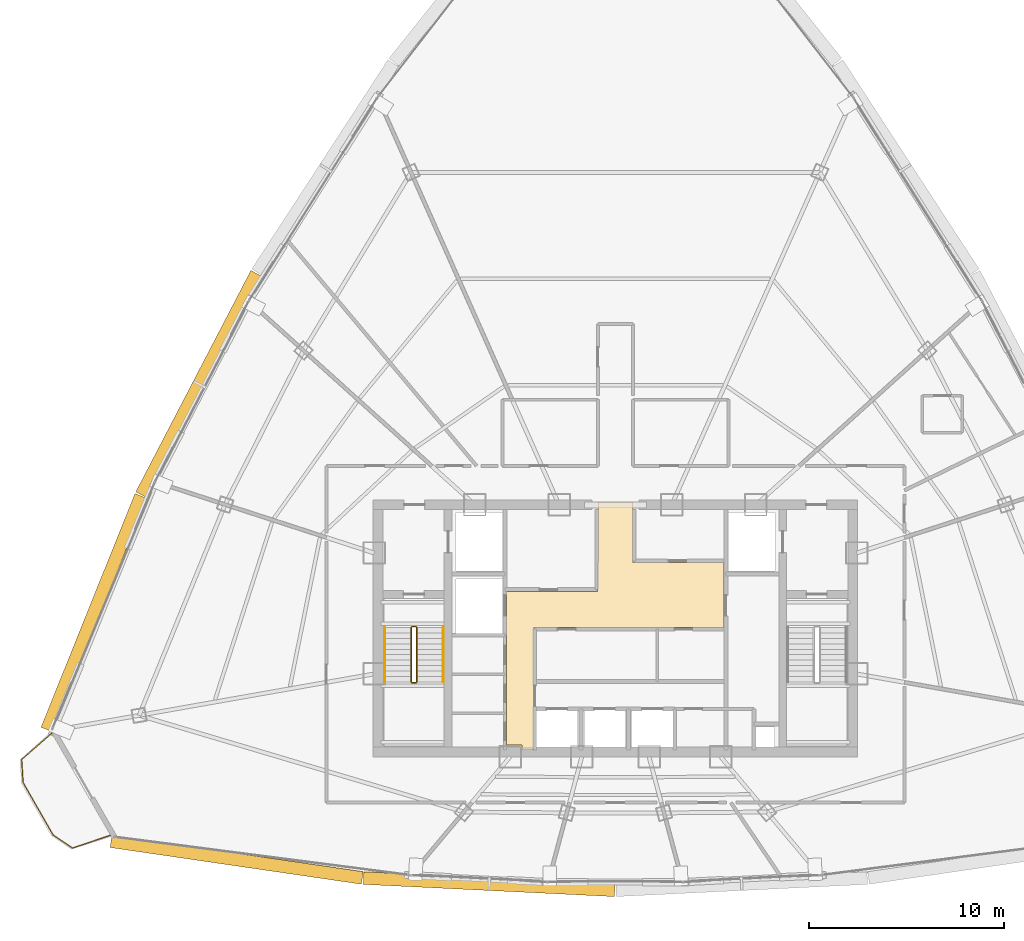
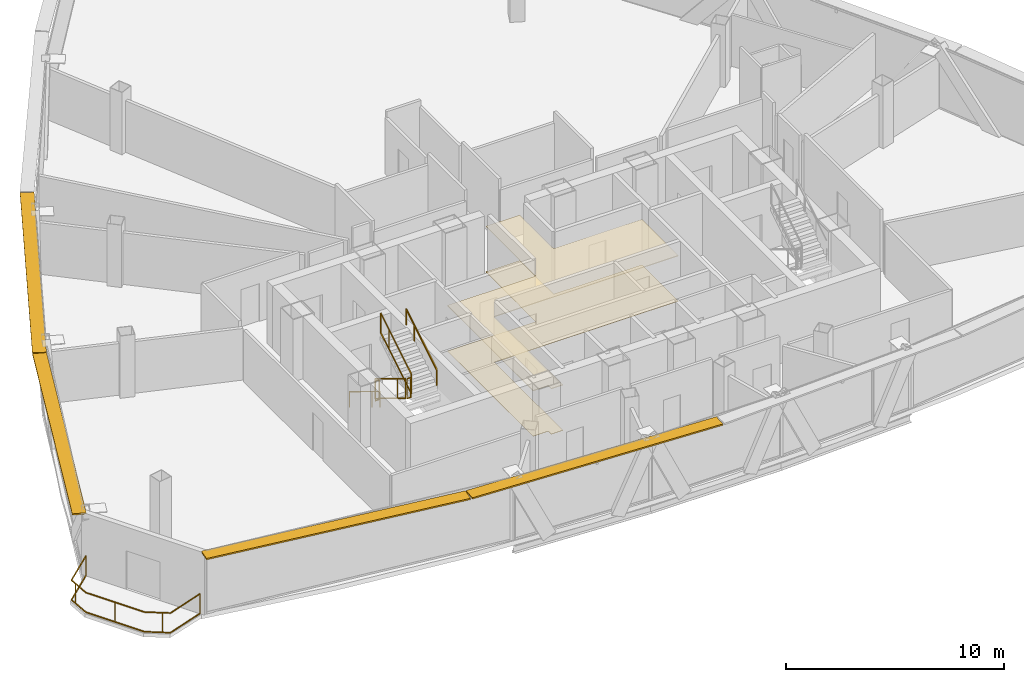
# One storey, part 32 of 34: 7 railings, 4 shading devices, 2 coverings.
"""IFC4 building model written with IfcOpenShell, lengths in metres."""

from ifc_helpers import new_model, si_unit, direction, frame, origin, origin_2d, place, context, subcontext, project, spatial, polyline, rectangle, outline, extrude, source, transform, mapped, material, layer, layer_set, type_object, element, save


model = new_model("IFC4")

# Units and contexts
model_context = context("Model", 3, precision=1e-05, world=origin(), true_north=direction((0.0, 1.0)))
body_context = subcontext(model_context, "Body", "Model", "MODEL_VIEW")
ifc_project = project(units=[si_unit("LENGTHUNIT", "METRE"), si_unit("AREAUNIT", "SQUARE_METRE"), si_unit("VOLUMEUNIT", "CUBIC_METRE"), si_unit("PLANEANGLEUNIT", "RADIAN"), si_unit("MASSUNIT", "GRAM", prefix="KILO"), si_unit("THERMODYNAMICTEMPERATUREUNIT", "KELVIN"), si_unit("POWERUNIT", "WATT")], contexts=[model_context])

# Site, building, storey
site_placement = place(None, origin())
site = spatial("IfcSite", under=ifc_project, at=site_placement, CompositionType="ELEMENT")
building_placement = place(site_placement, origin())
building = spatial("IfcBuilding", under=site, at=building_placement, Name="Yunzhuo Pagoda Commons", CompositionType="ELEMENT")
storey_placement = place(building_placement, frame((0.0, 0.0, 333.010009765625)))
storey = spatial("IfcBuildingStorey", under=building, at=storey_placement, Name="L83", CompositionType="ELEMENT", Elevation=333.010009765625)

# Coverings
ifc_material_1 = material(Name="Micro-perforated metal baffle ceiling")
ifc_layer_1 = layer(ifc_material_1, 0.034912109375)
ifc_layer_set_1 = layer_set([ifc_layer_1], Name="Micro-perforated metal baffle ceiling")
covering_type_1 = type_object("IfcCoveringType", Name="COV-CL3 Ceiling 35", PredefinedType="CEILING", material=ifc_layer_set_1)
covering_1_placement = place(storey_placement, frame((0.0, 0.0, 2.5400390625)))
element("IfcCovering", 1, at=covering_1_placement, inside=storey, type_object=covering_type_1, Name="L83 lift lobby acoustic ceiling", PredefinedType="CEILING", context=body_context, shape_type="SweptSolid", body=[
    extrude(outline(polyline([(42.39990234375, 35.75), (47.080078125, 35.75), (47.080078125, 37.25), (47.10009765625, 37.25), (47.10009765625, 40.35009765625), (48.89990234375, 40.35009765625), (48.89990234375, 37.25), (53.580078125, 37.25), (53.580078125, 33.89990234375), (43.820068359375, 33.89990234375), (43.820068359375, 27.60009765625), (43.207763671875, 27.60009765625), (43.207763671875, 27.85009765625), (43.201904296875, 27.864013671875), (43.187744140625, 27.8701171875), (42.39990234375, 27.8701171875), (42.39990234375, 33.89990234375), (42.39990234375, 35.75)])), origin(), (0.0, 0.0, 1.0), 0.034912109375),
])
ifc_material_2 = material(Name="Resilient acoustic studio flooring")
ifc_layer_2 = layer(ifc_material_2, 0.01806640625)
ifc_layer_set_2 = layer_set([ifc_layer_2], Name="Resilient acoustic studio flooring")
covering_type_2 = type_object("IfcCoveringType", Name="COV-FL3 Flooring 18", PredefinedType="FLOORING", material=ifc_layer_set_2)
covering_2_placement = place(storey_placement, origin())
element("IfcCovering", 2, at=covering_2_placement, inside=storey, type_object=covering_type_2, Name="L83 lift lobby flooring", PredefinedType="FLOORING", context=body_context, shape_type="SweptSolid", body=[
    extrude(outline(polyline([(42.39990234375, 35.75), (47.080078125, 35.75), (47.080078125, 37.25), (47.10009765625, 37.25), (47.10009765625, 40.35009765625), (48.89990234375, 40.35009765625), (48.89990234375, 37.25), (53.580078125, 37.25), (53.580078125, 33.89990234375), (43.820068359375, 33.89990234375), (43.820068359375, 27.60009765625), (43.207763671875, 27.60009765625), (43.207763671875, 27.85009765625), (43.201904296875, 27.864013671875), (43.187744140625, 27.8701171875), (42.39990234375, 27.8701171875), (42.39990234375, 33.89990234375), (42.39990234375, 35.75)])), origin(), (0.0, 0.0, 1.0), 0.01806640625),
])

# Railings
ifc_material_3 = material(Name="Anodized aluminium 6063-T6", Category="aluminium")
railing_type_1 = type_object("IfcRailingType", Name="GR-ST1 Stair Well Guardrail 1150", PredefinedType="GUARDRAIL", material=ifc_material_3)
railing_1_placement = place(storey_placement, frame((37.5, 33.89990234375, 0.17041015625)))
element("IfcRailing", 3, at=railing_1_placement, inside=storey, type_object=railing_type_1, Name="L83 ST1 stair guard 1", PredefinedType="GUARDRAIL", context=body_context, shape_type="SweptSolid", body=[
    extrude(rectangle(XDim=0.048095703125, YDim=0.048095703125, at=origin_2d()), frame((0.0, 0.0, 1.1259765625), z_axis=(0.0, -0.854149651119, 0.520027281489), x_axis=(1.0, 0.0, 0.0)), (0.0, 0.0, 1.0), 3.27783203125),
    extrude(rectangle(XDim=0.048095703125, YDim=0.048095703125, at=origin_2d()), frame((0.0, 0.0, 0.02392578125), z_axis=(0.0, -0.854149651119, 0.520027281489), x_axis=(1.0, 0.0, 0.0)), (0.0, 0.0, 1.0), 3.27783203125),
    extrude(rectangle(XDim=0.0419921875, YDim=0.0419921875, at=origin_2d()), origin(), (0.0, 0.0, 1.0), 1.101806640625),
    extrude(rectangle(XDim=0.0419921875, YDim=0.0419921875, at=origin_2d()), frame((0.0, -2.050048828125, 1.248046875)), (0.0, 0.0, 1.0), 1.101806640625),
    extrude(rectangle(XDim=0.0419921875, YDim=0.0419921875, at=origin_2d()), frame((0.0, -2.7998046875, 1.70458984375)), (0.0, 0.0, 1.0), 1.101806640625),
])
railing_2_placement = place(storey_placement, frame((37.550048828125, 31.050048828125, 1.875)))
element("IfcRailing", 4, at=railing_2_placement, inside=storey, type_object=railing_type_1, Name="L83 ST1 stair guard 2", PredefinedType="GUARDRAIL", context=body_context, shape_type="SweptSolid", body=[
    extrude(rectangle(XDim=0.048095703125, YDim=0.048095703125, at=origin_2d()), frame((0.0, 0.0, 1.1259765625), z_axis=(1.0, 0.0, 0.0), x_axis=(0.0, 1.0, 0.0)), (0.0, 0.0, 1.0), 0.199951171875),
    extrude(rectangle(XDim=0.048095703125, YDim=0.048095703125, at=origin_2d()), frame((0.0, 0.0, 0.02392578125), z_axis=(1.0, 0.0, 0.0), x_axis=(0.0, 1.0, 0.0)), (0.0, 0.0, 1.0), 0.199951171875),
    extrude(rectangle(XDim=0.0419921875, YDim=0.0419921875, at=origin_2d()), origin(), (0.0, 0.0, 1.0), 1.101806640625),
    extrude(rectangle(XDim=0.0419921875, YDim=0.0419921875, at=origin_2d()), frame((0.199951171875, 0.0, 0.0)), (0.0, 0.0, 1.0), 1.101806640625),
])
railing_3_placement = place(storey_placement, frame((37.800048828125, 31.10009765625, 2.04541015625)))
element("IfcRailing", 5, at=railing_3_placement, inside=storey, type_object=railing_type_1, Name="L83 ST1 stair guard 3", PredefinedType="GUARDRAIL", context=body_context, shape_type="SweptSolid", body=[
    extrude(rectangle(XDim=0.048095703125, YDim=0.048095703125, at=origin_2d()), frame((0.0, 0.0, 1.1259765625), z_axis=(0.0, 0.854149651119, 0.520027281489), x_axis=(-1.0, 0.0, 0.0)), (0.0, 0.0, 1.0), 3.27783203125),
    extrude(rectangle(XDim=0.048095703125, YDim=0.048095703125, at=origin_2d()), frame((0.0, 0.0, 0.02392578125), z_axis=(0.0, 0.854149651119, 0.520027281489), x_axis=(-1.0, 0.0, 0.0)), (0.0, 0.0, 1.0), 3.27783203125),
    extrude(rectangle(XDim=0.0419921875, YDim=0.0419921875, at=origin_2d()), origin(), (0.0, 0.0, 1.0), 1.101806640625),
    extrude(rectangle(XDim=0.0419921875, YDim=0.0419921875, at=origin_2d()), frame((0.0, 2.050048828125, 1.248046875)), (0.0, 0.0, 1.0), 1.101806640625),
    extrude(rectangle(XDim=0.0419921875, YDim=0.0419921875, at=origin_2d()), frame((0.0, 2.7998046875, 1.70458984375)), (0.0, 0.0, 1.0), 1.101806640625),
])
railing_4_placement = place(storey_placement, frame((37.550048828125, 33.949951171875, 0.0)))
element("IfcRailing", 6, at=railing_4_placement, inside=storey, type_object=railing_type_1, Name="L83 ST1 stair guard 4", PredefinedType="GUARDRAIL", context=body_context, shape_type="SweptSolid", body=[
    extrude(rectangle(XDim=0.048095703125, YDim=0.048095703125, at=origin_2d()), frame((0.0, 0.0, 1.1259765625), z_axis=(1.0, 0.0, 0.0), x_axis=(0.0, 1.0, 0.0)), (0.0, 0.0, 1.0), 0.199951171875),
    extrude(rectangle(XDim=0.048095703125, YDim=0.048095703125, at=origin_2d()), frame((0.0, 0.0, 0.02392578125), z_axis=(1.0, 0.0, 0.0), x_axis=(0.0, 1.0, 0.0)), (0.0, 0.0, 1.0), 0.199951171875),
    extrude(rectangle(XDim=0.0419921875, YDim=0.0419921875, at=origin_2d()), origin(), (0.0, 0.0, 1.0), 1.101806640625),
    extrude(rectangle(XDim=0.0419921875, YDim=0.0419921875, at=origin_2d()), frame((0.199951171875, 0.0, 0.0)), (0.0, 0.0, 1.0), 1.101806640625),
])
railing_type_2 = type_object("IfcRailingType", Name="HR-ST1 Stair Handrail 900", PredefinedType="HANDRAIL", material=ifc_material_3)
railing_5_placement = place(storey_placement, frame((36.14990234375, 33.89990234375, 0.17041015625)))
element("IfcRailing", 7, at=railing_5_placement, inside=storey, type_object=railing_type_2, Name="L83 ST1 stair handrail 1", PredefinedType="HANDRAIL", context=body_context, shape_type="SweptSolid", body=[
    extrude(rectangle(XDim=0.048095703125, YDim=0.048095703125, at=origin_2d()), frame((0.0, 0.0, 0.8759765625), z_axis=(0.0, -0.854149651119, 0.520027281489), x_axis=(1.0, 0.0, 0.0)), (0.0, 0.0, 1.0), 3.27783203125),
    extrude(rectangle(XDim=0.0419921875, YDim=0.0419921875, at=origin_2d()), origin(), (0.0, 0.0, 1.0), 0.851806640625),
    extrude(rectangle(XDim=0.0419921875, YDim=0.0419921875, at=origin_2d()), frame((0.0, -2.050048828125, 1.248046875)), (0.0, 0.0, 1.0), 0.851806640625),
    extrude(rectangle(XDim=0.0419921875, YDim=0.0419921875, at=origin_2d()), frame((0.0, -2.7998046875, 1.70458984375)), (0.0, 0.0, 1.0), 0.851806640625),
])
railing_6_placement = place(storey_placement, frame((39.14990234375, 31.10009765625, 2.04541015625)))
element("IfcRailing", 8, at=railing_6_placement, inside=storey, type_object=railing_type_2, Name="L83 ST1 stair handrail 2", PredefinedType="HANDRAIL", context=body_context, shape_type="SweptSolid", body=[
    extrude(rectangle(XDim=0.048095703125, YDim=0.048095703125, at=origin_2d()), frame((0.0, 0.0, 0.8759765625), z_axis=(0.0, 0.854149651119, 0.520027281489), x_axis=(-1.0, 0.0, 0.0)), (0.0, 0.0, 1.0), 3.27783203125),
    extrude(rectangle(XDim=0.0419921875, YDim=0.0419921875, at=origin_2d()), origin(), (0.0, 0.0, 1.0), 0.851806640625),
    extrude(rectangle(XDim=0.0419921875, YDim=0.0419921875, at=origin_2d()), frame((0.0, 2.050048828125, 1.248046875)), (0.0, 0.0, 1.0), 0.851806640625),
    extrude(rectangle(XDim=0.0419921875, YDim=0.0419921875, at=origin_2d()), frame((0.0, 2.7998046875, 1.70458984375)), (0.0, 0.0, 1.0), 0.851806640625),
])
railing_type_3 = type_object("IfcRailingType", Name="RL-BAL1 Exterior Terrace & Balcony Balustrade 1150", PredefinedType="BALUSTRADE", material=ifc_material_3)
railing_7_placement = place(storey_placement, frame((19.04638671875, 28.474853515625, 0.0)))
element("IfcRailing", 9, at=railing_7_placement, inside=storey, type_object=railing_type_3, Name="L83 corner balcony balustrade V1", PredefinedType="BALUSTRADE", context=body_context, shape_type="SweptSolid", body=[
    extrude(rectangle(XDim=0.048095703125, YDim=0.048095703125, at=origin_2d()), frame((0.0, 0.0, 1.1259765625), z_axis=(-0.753933830692, -0.656950362614, 0.0), x_axis=(0.656950362614, -0.753933830692, 0.0)), (0.0, 0.0, 1.0), 2.05908203125),
    extrude(rectangle(XDim=0.048095703125, YDim=0.048095703125, at=origin_2d()), frame((0.0, 0.0, 0.02392578125), z_axis=(-0.753933830692, -0.656950362614, 0.0), x_axis=(0.656950362614, -0.753933830692, 0.0)), (0.0, 0.0, 1.0), 2.05908203125),
    extrude(rectangle(XDim=0.048095703125, YDim=0.048095703125, at=origin_2d()), frame((-1.552490234375, -1.352783203125, 1.1259765625), z_axis=(0.062416382628, -0.998050196723, 0.0), x_axis=(0.998050196723, 0.062416382628, 0.0)), (0.0, 0.0, 1.0), 1.197021484375),
    extrude(rectangle(XDim=0.048095703125, YDim=0.048095703125, at=origin_2d()), frame((-1.552490234375, -1.352783203125, 0.02392578125), z_axis=(0.062416382628, -0.998050196723, 0.0), x_axis=(0.998050196723, 0.062416382628, 0.0)), (0.0, 0.0, 1.0), 1.197021484375),
    extrude(rectangle(XDim=0.048095703125, YDim=0.048095703125, at=origin_2d()), frame((-1.477783203125, -2.54736328125, 1.1259765625), z_axis=(0.497966035481, -0.867196533381, 0.0), x_axis=(0.867196533381, 0.497966035481, 0.0)), (0.0, 0.0, 1.0), 3.1064453125),
    extrude(rectangle(XDim=0.048095703125, YDim=0.048095703125, at=origin_2d()), frame((-1.477783203125, -2.54736328125, 0.02392578125), z_axis=(0.497966035481, -0.867196533381, 0.0), x_axis=(0.867196533381, 0.497966035481, 0.0)), (0.0, 0.0, 1.0), 3.1064453125),
    extrude(rectangle(XDim=0.048095703125, YDim=0.048095703125, at=origin_2d()), frame((0.069091796875, -5.2412109375, 1.1259765625), z_axis=(0.830446287952, -0.557098701154, 0.0), x_axis=(0.557098701154, 0.830446287952, 0.0)), (0.0, 0.0, 1.0), 1.19677734375),
    extrude(rectangle(XDim=0.048095703125, YDim=0.048095703125, at=origin_2d()), frame((0.069091796875, -5.2412109375, 0.02392578125), z_axis=(0.830446287952, -0.557098701154, 0.0), x_axis=(0.557098701154, 0.830446287952, 0.0)), (0.0, 0.0, 1.0), 1.19677734375),
    extrude(rectangle(XDim=0.048095703125, YDim=0.048095703125, at=origin_2d()), frame((1.06298828125, -5.907958984375, 1.1259765625), z_axis=(0.947419062147, 0.319995501031, 0.0), x_axis=(-0.319995501031, 0.947419062147, 0.0)), (0.0, 0.0, 1.0), 2.05908203125),
    extrude(rectangle(XDim=0.048095703125, YDim=0.048095703125, at=origin_2d()), frame((1.06298828125, -5.907958984375, 0.02392578125), z_axis=(0.947419062147, 0.319995501031, 0.0), x_axis=(-0.319995501031, 0.947419062147, 0.0)), (0.0, 0.0, 1.0), 2.05908203125),
    extrude(rectangle(XDim=0.0419921875, YDim=0.0419921875, at=origin_2d()), origin(), (0.0, 0.0, 1.0), 1.101806640625),
    extrude(rectangle(XDim=0.0419921875, YDim=0.0419921875, at=origin_2d()), frame((-1.53125, -1.69287109375, 0.0)), (0.0, 0.0, 1.0), 1.101806640625),
    extrude(rectangle(XDim=0.0419921875, YDim=0.0419921875, at=origin_2d()), frame((-0.708984375, -3.88623046875, 0.0)), (0.0, 0.0, 1.0), 1.101806640625),
    extrude(rectangle(XDim=0.0419921875, YDim=0.0419921875, at=origin_2d()), frame((0.7646484375, -5.707763671875, 0.0)), (0.0, 0.0, 1.0), 1.101806640625),
    extrude(rectangle(XDim=0.0419921875, YDim=0.0419921875, at=origin_2d()), frame((3.013916015625, -5.2490234375, 0.0)), (0.0, 0.0, 1.0), 1.101806640625),
])

# Shading devices
ifc_layer_3 = layer(ifc_material_3, 0.080078125)
ifc_layer_set_3 = layer_set([ifc_layer_3], Name="Anodized aluminium 6063-T6")
shading_device_type = type_object("IfcShadingDeviceType", Name="SH-SUN1 Pagoda Horizontal Sunshade Eave 650", PredefinedType="USERDEFINED", material=ifc_layer_set_3)
shared_shape_1 = source(origin(), body_context, "Body", "SweptSolid", [
    extrude(rectangle(XDim=13.047119140625, YDim=0.64990234375, at=origin_2d()), origin(), (0.0, 0.0, 1.0), 0.080078125),
])
shading_device_1_placement = place(storey_placement, frame((28.54052734375, 21.9736328125, 3.409912109375), z_axis=(0.0, 0.0, 1.0), x_axis=(0.989510666697, -0.144459823108, 0.0)))
element("IfcShadingDevice", 10, at=shading_device_1_placement, inside=storey, type_object=shading_device_type, Name="L83 horizontal pagoda sunshade eave F1.1", ObjectType="SUNSHADE", PredefinedType="USERDEFINED", context=body_context, shape_type="MappedRepresentation", body=[
    mapped(shared_shape_1, transform((0.0, 0.0, 0.0), scale=1.0)),
])
shared_shape_2 = source(origin(), body_context, "Body", "SweptSolid", [
    extrude(rectangle(XDim=12.92529296875, YDim=0.64990234375, at=origin_2d()), origin(), (0.0, 0.0, 1.0), 0.080078125),
])
shading_device_2_placement = place(storey_placement, frame((41.513427734375, 20.711181640625, 3.409912109375), z_axis=(0.0, 0.0, 1.0), x_axis=(0.998818043775, -0.04860571396, 0.0)))
element("IfcShadingDevice", 11, at=shading_device_2_placement, inside=storey, type_object=shading_device_type, Name="L83 horizontal pagoda sunshade eave F1.2", ObjectType="SUNSHADE", PredefinedType="USERDEFINED", context=body_context, shape_type="MappedRepresentation", body=[
    mapped(shared_shape_2, transform((0.0, 0.0, 0.0), scale=1.0)),
])
shared_shape_3 = source(origin(), body_context, "Body", "SweptSolid", [
    extrude(rectangle(XDim=12.942138671875, YDim=0.64990234375, at=origin_2d()), origin(), (0.0, 0.0, 1.0), 0.080078125),
])
shading_device_3_placement = place(storey_placement, frame((21.205078125, 34.656494140625, 3.409912109375), z_axis=(0.0, 0.0, 1.0), x_axis=(-0.372987782576, -0.927836253899, 0.0)))
element("IfcShadingDevice", 12, at=shading_device_3_placement, inside=storey, type_object=shading_device_type, Name="L83 horizontal pagoda sunshade eave F3.4", ObjectType="SUNSHADE", PredefinedType="USERDEFINED", context=body_context, shape_type="MappedRepresentation", body=[
    mapped(shared_shape_3, transform((0.0, 0.0, 0.0), scale=1.0)),
])
shared_shape_4 = source(origin(), body_context, "Body", "SweptSolid", [
    extrude(rectangle(XDim=12.8193359375, YDim=0.64990234375, at=origin_2d()), origin(), (0.0, 0.0, 1.0), 0.080078125),
])
shading_device_4_placement = place(storey_placement, frame((26.601318359375, 46.4052734375, 3.409912109375), z_axis=(0.0, 0.0, 1.0), x_axis=(-0.461206683033, -0.88729273384, 0.0)))
element("IfcShadingDevice", 13, at=shading_device_4_placement, inside=storey, type_object=shading_device_type, Name="L83 horizontal pagoda sunshade eave F3.3", ObjectType="SUNSHADE", PredefinedType="USERDEFINED", context=body_context, shape_type="MappedRepresentation", body=[
    mapped(shared_shape_4, transform((0.0, 0.0, 0.0), scale=1.0)),
])

save(model, "model.ifc")
